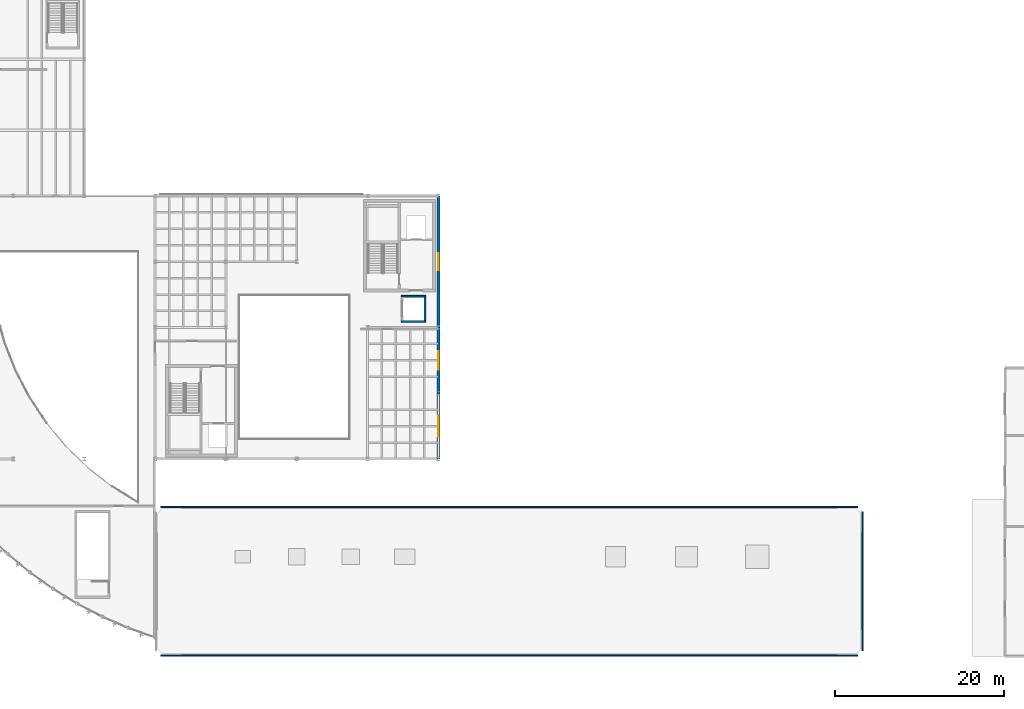
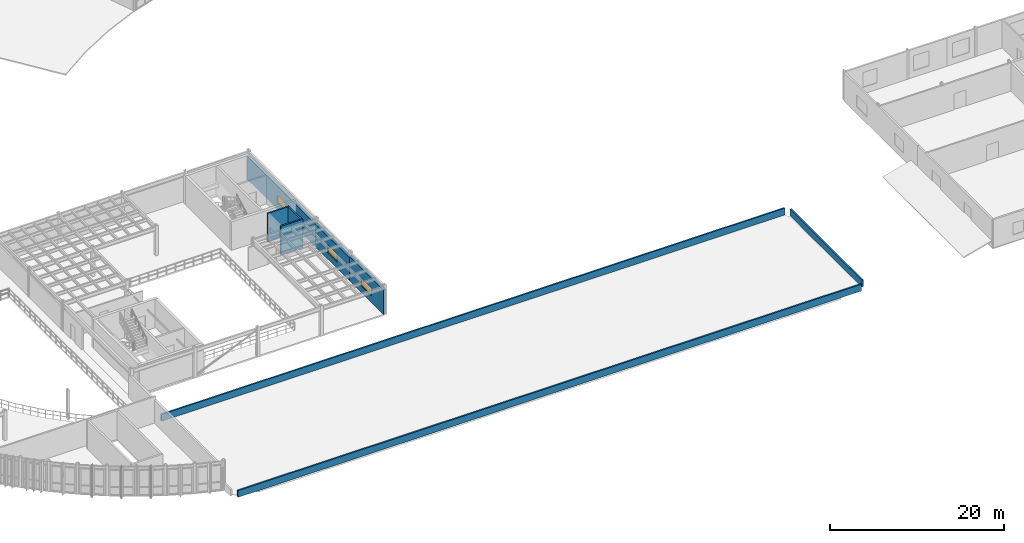
# One storey, part 39 of 54: 9 walls, 3 windows, 3 openings.
"""IFC4 building model written with IfcOpenShell, lengths in metres."""

from ifc_helpers import new_model, si_unit, direction, frame, frame_2d, origin, place, context, subcontext, project, spatial, rectangle, extrude, material, layer, layer_set, type_object, element, fill, save


model = new_model("IFC4")

# Units and contexts
model_context = context("Model", 3, precision=1e-05, world=origin(), true_north=direction((0.0, 1.0)))
body_context = subcontext(model_context, "Body", "Model", "MODEL_VIEW")
ifc_project = project(units=[si_unit("LENGTHUNIT", "METRE"), si_unit("AREAUNIT", "SQUARE_METRE"), si_unit("VOLUMEUNIT", "CUBIC_METRE"), si_unit("PLANEANGLEUNIT", "RADIAN"), si_unit("MASSUNIT", "GRAM", prefix="KILO")], contexts=[model_context])

# Site, building, storey
site_placement = place(None, origin())
site = spatial("IfcSite", under=ifc_project, at=site_placement, CompositionType="ELEMENT")
building_placement = place(site_placement, origin())
building = spatial("IfcBuilding", under=site, at=building_placement, Name="Selat Folded Stagehouse", CompositionType="ELEMENT")
storey_placement = place(building_placement, frame((0.0, 0.0, 15.0)))
storey = spatial("IfcBuildingStorey", under=building, at=storey_placement, Name="L03", CompositionType="ELEMENT", Elevation=15.0)

# Walls
ifc_material_1 = material(Name="Concrete C40/50", Category="concrete")
ifc_layer_1 = layer(ifc_material_1, 0.215087890625)
ifc_layer_set_1 = layer_set([ifc_layer_1], Name="Concrete C40/50")
wall_type_1 = type_object("IfcWallType", Name="WAL-COMP-215", PredefinedType="STANDARD", material=ifc_layer_set_1)
for number, where, z_axis, x_axis, name in (
    (1, (65.70751953125, 39.699951171875, 0.0), (0.0, 0.0, 1.0), (-1.0, 0.0, 0.0), "L03 GL-01 south shaft wall"),
    (2, (62.79248046875, 42.699951171875, 0.0), (0.0, 0.0, 1.0), (1.0, 0.0, 0.0), "L03 GL-01 north shaft wall"),
):
    element("IfcWall", number, at=place(storey_placement, frame(where, z_axis=z_axis, x_axis=x_axis)), inside=storey, type_object=wall_type_1, Name=name, PredefinedType="STANDARD", context=body_context, shape_type="SweptSolid", body=[
        extrude(rectangle(XDim=2.9150390625, YDim=0.215087890625, at=frame_2d((1.45751953125, 0.0))), origin(), (0.0, 0.0, 1.0), 3.991943359375),
    ])
wall_1_placement = place(storey_placement, frame((65.60009765625, 42.592529296875, 0.0), z_axis=(0.0, 0.0, 1.0), x_axis=(0.0, -1.0, 0.0)))
element("IfcWall", 3, at=wall_1_placement, inside=storey, type_object=wall_type_1, Name="L03 GL-01 east shaft wall", PredefinedType="STANDARD", context=body_context, shape_type="SweptSolid", body=[
    extrude(rectangle(XDim=2.784912109375, YDim=0.215087890625, at=frame_2d((1.392578125, 0.0))), origin(), (0.0, 0.0, 1.0), 3.991943359375),
])

# Wall, opening, window
ifc_material_2 = material(Name="Precast concrete C40/50", Category="concrete")
ifc_layer_2 = layer(ifc_material_2, 0.324951171875)
ifc_layer_set_2 = layer_set([ifc_layer_2], Name="Precast concrete C40/50")
wall_type_2 = type_object("IfcWallType", Name="WAL-EXT-325", PredefinedType="STANDARD", material=ifc_layer_set_2)
wall_2_placement = place(storey_placement, frame((67.199951171875, 54.60009765625, 0.0), z_axis=(0.0, 0.0, 1.0), x_axis=(0.0, -1.0, 0.0)))
wall_2 = element("IfcWall", 4, at=wall_2_placement, inside=storey, type_object=wall_type_2, Name="L03 exterior facade wall EW-L03-V2E-39", PredefinedType="STANDARD", context=body_context, shape_type="SweptSolid", body=[
    extrude(rectangle(XDim=15.60009765625, YDim=0.324951171875, at=frame_2d((7.800048828125, 0.0))), origin(), (0.0, 0.0, 1.0), 3.22216796875),
])
opening_1_placement = place(wall_2_placement, frame((6.800048828125, 0.0, 0.89990234375)))
opening_1 = element("IfcOpeningElement", 5, at=opening_1_placement, cuts=wall_2, Name="Opening WN-14", PredefinedType="OPENING", context=body_context, shape_type="SweptSolid", body=[
    extrude(rectangle(XDim=2.0, YDim=1.10009765625, at=frame_2d((1.0, 0.550048828125))), frame((0.0, 0.17236328125, 0.0), z_axis=(0.0, -1.0, 0.0), x_axis=(1.0, 0.0, 0.0)), (0.0, 0.0, 1.0), 0.344970703125),
])
ifc_material_3 = material(Name="Thermally broken aluminium and acoustic low-E glass", Category="aluminium")
window_type_1 = type_object("IfcWindowType", Name="WIN-CL-2000x1100", PartitioningType="SINGLE_PANEL", PredefinedType="WINDOW", material=ifc_material_3)
window_1_placement = place(opening_1_placement, origin())
window_1 = element("IfcWindow", 6, at=window_1_placement, inside=storey, type_object=window_type_1, Name="L03 exterior window EW-L03-V2E-39-1", OverallHeight=1.10009765625, OverallWidth=2.0, PartitioningType="SINGLE_PANEL", PredefinedType="WINDOW", context=body_context, shape_type="SweptSolid", body=[
    extrude(rectangle(XDim=2.0, YDim=1.10009765625, at=frame_2d((1.0, 0.550048828125))), frame((0.0, 0.030029296875, 0.0), z_axis=(0.0, -1.0, 0.0), x_axis=(1.0, 0.0, 0.0)), (0.0, 0.0, 1.0), 0.06005859375),
])
fill(opening_1, window_1)

wall_3_placement = place(storey_placement, frame((67.199951171875, 39.0, 0.0), z_axis=(0.0, 0.0, 1.0), x_axis=(0.0, -1.0, 0.0)))
wall_3 = element("IfcWall", 7, at=wall_3_placement, inside=storey, type_object=wall_type_2, Name="L03 exterior facade wall EW-L03-V2E-31", PredefinedType="STANDARD", context=body_context, shape_type="SweptSolid", body=[
    extrude(rectangle(XDim=7.800048828125, YDim=0.324951171875, at=frame_2d((3.89990234375, 0.0))), origin(), (0.0, 0.0, 1.0), 3.22216796875),
])
opening_2_placement = place(wall_3_placement, frame((2.800048828125, 0.0, 0.89990234375)))
opening_2 = element("IfcOpeningElement", 8, at=opening_2_placement, cuts=wall_3, Name="Opening WN-13", PredefinedType="OPENING", context=body_context, shape_type="SweptSolid", body=[
    extrude(rectangle(XDim=2.199951171875, YDim=1.14990234375, at=frame_2d((1.10009765625, 0.574951171875))), frame((0.0, 0.17236328125, 0.0), z_axis=(0.0, -1.0, 0.0), x_axis=(1.0, 0.0, 0.0)), (0.0, 0.0, 1.0), 0.344970703125),
])
window_type_2 = type_object("IfcWindowType", Name="WIN-CL-2200x1150", PartitioningType="SINGLE_PANEL", PredefinedType="WINDOW", material=ifc_material_3)
window_2_placement = place(opening_2_placement, origin())
window_2 = element("IfcWindow", 9, at=window_2_placement, inside=storey, type_object=window_type_2, Name="L03 exterior window EW-L03-V2E-31-1", OverallHeight=1.14990234375, OverallWidth=2.199951171875, PartitioningType="SINGLE_PANEL", PredefinedType="WINDOW", context=body_context, shape_type="SweptSolid", body=[
    extrude(rectangle(XDim=2.199951171875, YDim=1.14990234375, at=frame_2d((1.10009765625, 0.574951171875))), frame((0.0, 0.030029296875, 0.0), z_axis=(0.0, -1.0, 0.0), x_axis=(1.0, 0.0, 0.0)), (0.0, 0.0, 1.0), 0.06005859375),
])
fill(opening_2, window_2)

wall_4_placement = place(storey_placement, frame((67.199951171875, 31.199951171875, 0.0), z_axis=(0.0, 0.0, 1.0), x_axis=(0.0, -1.0, 0.0)))
wall_4 = element("IfcWall", 10, at=wall_4_placement, inside=storey, type_object=wall_type_2, Name="L03 exterior facade wall EW-L03-V2E-23", PredefinedType="STANDARD", context=body_context, shape_type="SweptSolid", body=[
    extrude(rectangle(XDim=7.800048828125, YDim=0.324951171875, at=frame_2d((3.89990234375, 0.0))), origin(), (0.0, 0.0, 1.0), 3.45263671875),
])
opening_3_placement = place(wall_4_placement, frame((2.699951171875, 0.0, 0.89990234375)))
opening_3 = element("IfcOpeningElement", 11, at=opening_3_placement, cuts=wall_4, Name="Opening WN-12", PredefinedType="OPENING", context=body_context, shape_type="SweptSolid", body=[
    extrude(rectangle(XDim=2.39990234375, YDim=1.14990234375, at=frame_2d((1.199951171875, 0.574951171875))), frame((0.0, 0.17236328125, 0.0), z_axis=(0.0, -1.0, 0.0), x_axis=(1.0, 0.0, 0.0)), (0.0, 0.0, 1.0), 0.344970703125),
])
window_type_3 = type_object("IfcWindowType", Name="WIN-CL-2400x1150", PartitioningType="SINGLE_PANEL", PredefinedType="WINDOW", material=ifc_material_3)
window_3_placement = place(opening_3_placement, origin())
window_3 = element("IfcWindow", 12, at=window_3_placement, inside=storey, type_object=window_type_3, Name="L03 exterior window EW-L03-V2E-23-1", OverallHeight=1.14990234375, OverallWidth=2.39990234375, PartitioningType="SINGLE_PANEL", PredefinedType="WINDOW", context=body_context, shape_type="SweptSolid", body=[
    extrude(rectangle(XDim=2.39990234375, YDim=1.14990234375, at=frame_2d((1.199951171875, 0.574951171875))), frame((0.0, 0.030029296875, 0.0), z_axis=(0.0, -1.0, 0.0), x_axis=(1.0, 0.0, 0.0)), (0.0, 0.0, 1.0), 0.06005859375),
])
fill(opening_3, window_3)

# Walls
ifc_layer_3 = layer(ifc_material_2, 0.199951171875)
ifc_layer_set_3 = layer_set([ifc_layer_3], Name="Precast concrete C40/50")
wall_type_3 = type_object("IfcWallType", Name="WAL-PAR-200", PredefinedType="PARAPET", material=ifc_layer_set_3)
wall_5_placement = place(storey_placement, frame((34.25, 0.10009765625, 0.0), z_axis=(0.0, 0.0, 1.0), x_axis=(1.0, 0.0, 0.0)))
element("IfcWall", 13, at=wall_5_placement, inside=storey, type_object=wall_type_3, Name="L03 roof parapet 01", PredefinedType="PARAPET", context=body_context, shape_type="SweptSolid", body=[
    extrude(rectangle(XDim=82.699951171875, YDim=0.199951171875, at=frame_2d((41.35009765625, 0.0))), origin(), (0.0, 0.0, 1.0), 0.949951171875),
])
wall_6_placement = place(storey_placement, frame((117.5, 0.64990234375, 0.0), z_axis=(0.0, 0.0, 1.0), x_axis=(0.0, 1.0, 0.0)))
element("IfcWall", 14, at=wall_6_placement, inside=storey, type_object=wall_type_3, Name="L03 roof parapet 02", PredefinedType="PARAPET", context=body_context, shape_type="SweptSolid", body=[
    extrude(rectangle(XDim=16.5, YDim=0.199951171875, at=frame_2d((8.25, 0.0))), origin(), (0.0, 0.0, 1.0), 0.949951171875),
])
wall_7_placement = place(storey_placement, frame((116.949951171875, 17.699951171875, 0.0), z_axis=(0.0, 0.0, 1.0), x_axis=(-1.0, 0.0, 0.0)))
element("IfcWall", 15, at=wall_7_placement, inside=storey, type_object=wall_type_3, Name="L03 roof parapet 03", PredefinedType="PARAPET", context=body_context, shape_type="SweptSolid", body=[
    extrude(rectangle(XDim=82.699951171875, YDim=0.199951171875, at=frame_2d((41.35009765625, 0.0))), origin(), (0.0, 0.0, 1.0), 0.949951171875),
])

save(model, "model.ifc")
